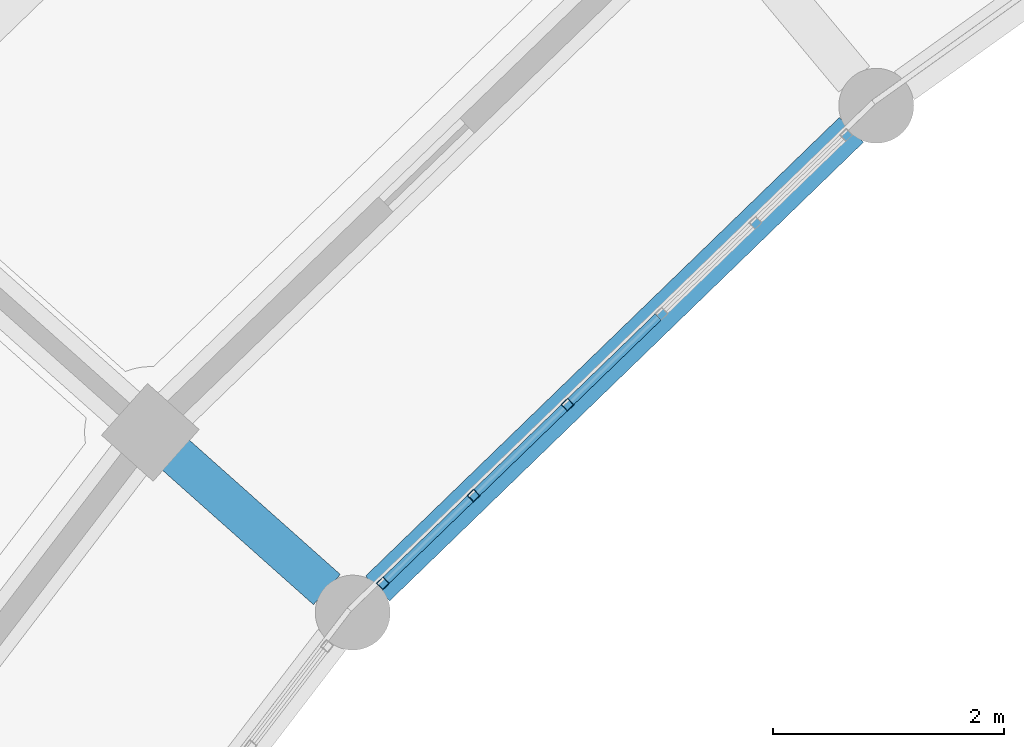
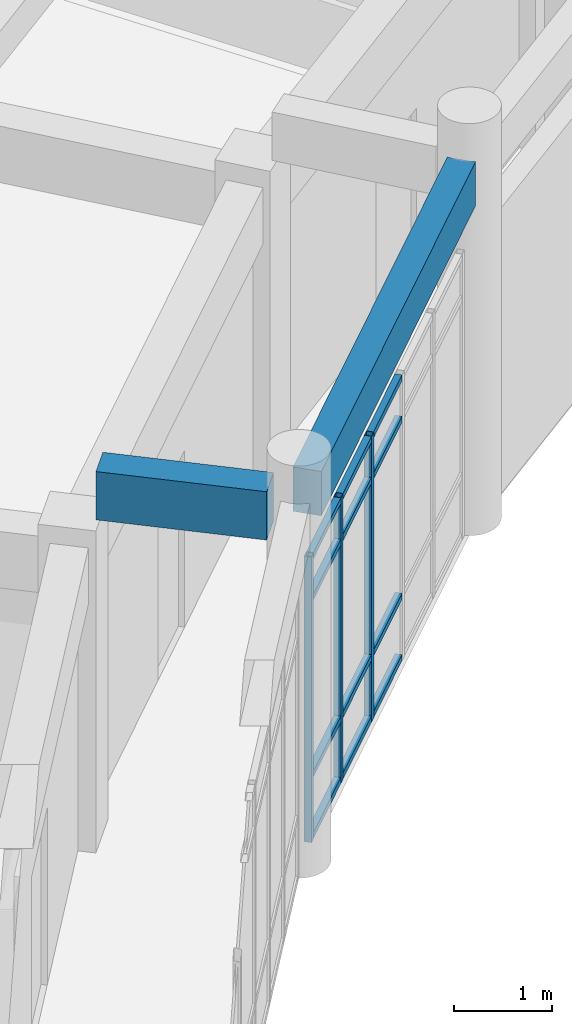
# One storey, part 65 of 159: 15 members, 2 beams, 1 element without a shape of its own.
"""IFC4 building model written with IfcOpenShell, lengths in metres."""

from ifc_helpers import new_model, si_unit, direction, frame, origin, origin_2d, place, context, subcontext, project, spatial, rectangle, hollow_rectangle, extrude, material, material_profile, profile_set, type_object, element, aggregate, save


model = new_model("IFC4")

# Units and contexts
model_context = context("Model", 3, precision=1e-05, world=origin(), true_north=direction((0.0, 1.0)))
body_context = subcontext(model_context, "Body", "Model", "MODEL_VIEW")
ifc_project = project(units=[si_unit("LENGTHUNIT", "METRE"), si_unit("AREAUNIT", "SQUARE_METRE"), si_unit("VOLUMEUNIT", "CUBIC_METRE"), si_unit("PLANEANGLEUNIT", "RADIAN"), si_unit("MASSUNIT", "GRAM", prefix="KILO")], contexts=[model_context])

# Site, building, storey
site_placement = place(None, origin())
site = spatial("IfcSite", under=ifc_project, at=site_placement, CompositionType="ELEMENT")
building_placement = place(site_placement, origin())
building = spatial("IfcBuilding", under=site, at=building_placement, Name="Celadon Cloister-Ring School", CompositionType="ELEMENT")
storey_placement = place(building_placement, frame((0.0, 0.0, 4.5)))
storey = spatial("IfcBuildingStorey", under=building, at=storey_placement, Name="L01", CompositionType="ELEMENT", Elevation=4.5)

# Beam
ifc_material_1 = material(Name="Concrete C35/45", Category="concrete")
ifc_material_profile_1 = material_profile(ifc_material_1, rectangle(XDim=0.35009765625, YDim=0.60009765625, at=origin_2d()), Name="RC350X600")
ifc_profile_set_1 = profile_set([ifc_material_profile_1], Name="Concrete C35/45")
beam_type_1 = type_object("IfcBeamType", Name="BT-02", PredefinedType="BEAM", material=ifc_profile_set_1)
beam_1_placement = place(storey_placement, frame((53.60009765625, 88.7451171875, 4.35009765625), z_axis=(0.746969032985, -0.664858829949, 0.0), x_axis=(0.664858829949, 0.746969032985, 0.0)))
element("IfcBeam", 1, at=beam_1_placement, inside=storey, type_object=beam_type_1, Name="Beam 0204", PredefinedType="BEAM", context=body_context, shape_type="SweptSolid", body=[
    extrude(rectangle(XDim=0.35009765625, YDim=0.60009765625, at=origin_2d()), origin(), (0.0, 0.0, 1.0), 1.775146484375),
])

# Curtain wall, members
ifc_material_2 = material(Name="Aluminium EN AW-6063 T6", Category="aluminium")
curtain_wall_type = type_object("IfcCurtainWallType", Name="CW-01", PredefinedType="USERDEFINED", material=ifc_material_2)
curtain_wall_placement = place(storey_placement, origin())
curtain_wall = element("IfcCurtainWall", 2, at=curtain_wall_placement, inside=storey, type_object=curtain_wall_type, Name="Curtain Wall 0021", ObjectType="CURTAIN WALL", PredefinedType="USERDEFINED")
ifc_material_3 = material(Name="Aluminium EN AW-6063 T6", Category="aluminium")
ifc_material_profile_2 = material_profile(ifc_material_3, hollow_rectangle(XDim=0.080078125, YDim=0.080078125, WallThickness=0.00390625, at=origin_2d()), Name="RHS80X80X4")
ifc_profile_set_2 = profile_set([ifc_material_profile_2], Name="Aluminium EN AW-6063 T6")
member_type_1 = type_object("IfcMemberType", Name="CM-03", PredefinedType="MULLION", material=ifc_profile_set_2)
member_1_placement = place(storey_placement, frame((57.0126953125, 89.168212890625, 0.0), z_axis=(0.0, 0.0, 1.0), x_axis=(0.695459621292, -0.718565178082, 0.0)))
member_1 = element("IfcMember", 3, at=member_1_placement, type_object=member_type_1, Name="CW-01 mullion 4", PredefinedType="MULLION", context=body_context, shape_type="SweptSolid", body=[
    extrude(hollow_rectangle(XDim=0.080078125, YDim=0.080078125, WallThickness=0.00390625, at=origin_2d()), origin(), (0.0, 0.0, 1.0), 3.550048828125),
])
member_2_placement = place(storey_placement, frame((56.19775390625, 88.379638671875, 0.0), z_axis=(0.0, 0.0, 1.0), x_axis=(0.695459621292, -0.718565178082, 0.0)))
member_2 = element("IfcMember", 4, at=member_2_placement, type_object=member_type_1, Name="CW-01 mullion 5", PredefinedType="MULLION", context=body_context, shape_type="SweptSolid", body=[
    extrude(hollow_rectangle(XDim=0.080078125, YDim=0.080078125, WallThickness=0.00390625, at=origin_2d()), origin(), (0.0, 0.0, 1.0), 3.550048828125),
])
member_3_placement = place(storey_placement, frame((55.41162109375, 87.618896484375, 0.0), z_axis=(0.0, 0.0, 1.0), x_axis=(0.695459621292, -0.718565178082, 0.0)))
member_3 = element("IfcMember", 5, at=member_3_placement, type_object=member_type_1, Name="CW-01 mullion 6", PredefinedType="MULLION", context=body_context, shape_type="SweptSolid", body=[
    extrude(hollow_rectangle(XDim=0.080078125, YDim=0.080078125, WallThickness=0.00390625, at=origin_2d()), origin(), (0.0, 0.0, 1.0), 3.550048828125),
])
ifc_material_4 = material(Name="Aluminium EN AW-6063 T6", Category="aluminium")
ifc_material_profile_3 = material_profile(ifc_material_4, hollow_rectangle(XDim=0.074951171875, YDim=0.074951171875, WallThickness=0.00390625, at=origin_2d()), Name="RHS75X75X4")
ifc_profile_set_3 = profile_set([ifc_material_profile_3], Name="Aluminium EN AW-6063 T6")
member_type_2 = type_object("IfcMemberType", Name="CTM-03", PredefinedType="USERDEFINED", material=ifc_profile_set_3)
member_4_placement = place(storey_placement, frame((57.798583984375, 89.928955078125, 0.03759765625), z_axis=(-0.71859467299, -0.695429145169, 0.0), x_axis=(0.695429145169, -0.71859467299, 0.0)))
member_4 = element("IfcMember", 6, at=member_4_placement, type_object=member_type_2, Name="CW-01 transom 3.1", ObjectType="TRANSOM", PredefinedType="USERDEFINED", context=body_context, shape_type="SweptSolid", body=[
    extrude(hollow_rectangle(XDim=0.074951171875, YDim=0.074951171875, WallThickness=0.00390625, at=origin_2d()), origin(), (0.0, 0.0, 1.0), 1.053955078125),
])
member_5_placement = place(storey_placement, frame((57.798583984375, 89.928955078125, 0.800048828125), z_axis=(-0.71859467299, -0.695429145169, 0.0), x_axis=(0.695429145169, -0.71859467299, 0.0)))
member_5 = element("IfcMember", 7, at=member_5_placement, type_object=member_type_2, Name="CW-01 transom 3.2", ObjectType="TRANSOM", PredefinedType="USERDEFINED", context=body_context, shape_type="SweptSolid", body=[
    extrude(hollow_rectangle(XDim=0.074951171875, YDim=0.074951171875, WallThickness=0.00390625, at=origin_2d()), origin(), (0.0, 0.0, 1.0), 1.053955078125),
])
member_6_placement = place(storey_placement, frame((57.798583984375, 89.928955078125, 3.0), z_axis=(-0.71859467299, -0.695429145169, 0.0), x_axis=(0.695429145169, -0.71859467299, 0.0)))
member_6 = element("IfcMember", 8, at=member_6_placement, type_object=member_type_2, Name="CW-01 transom 3.3", ObjectType="TRANSOM", PredefinedType="USERDEFINED", context=body_context, shape_type="SweptSolid", body=[
    extrude(hollow_rectangle(XDim=0.074951171875, YDim=0.074951171875, WallThickness=0.00390625, at=origin_2d()), origin(), (0.0, 0.0, 1.0), 1.053955078125),
])
member_7_placement = place(storey_placement, frame((57.798583984375, 89.928955078125, 3.512451171875), z_axis=(-0.71859467299, -0.695429145169, 0.0), x_axis=(0.695429145169, -0.71859467299, 0.0)))
member_7 = element("IfcMember", 9, at=member_7_placement, type_object=member_type_2, Name="CW-01 transom 3.4", ObjectType="TRANSOM", PredefinedType="USERDEFINED", context=body_context, shape_type="SweptSolid", body=[
    extrude(hollow_rectangle(XDim=0.074951171875, YDim=0.074951171875, WallThickness=0.00390625, at=origin_2d()), origin(), (0.0, 0.0, 1.0), 1.053955078125),
])
member_8_placement = place(storey_placement, frame((56.98388671875, 89.140380859375, 0.03759765625), z_axis=(-0.71859467299, -0.695429145169, 0.0), x_axis=(0.695429145169, -0.71859467299, 0.0)))
member_8 = element("IfcMember", 10, at=member_8_placement, type_object=member_type_2, Name="CW-01 transom 4.1", ObjectType="TRANSOM", PredefinedType="USERDEFINED", context=body_context, shape_type="SweptSolid", body=[
    extrude(hollow_rectangle(XDim=0.074951171875, YDim=0.074951171875, WallThickness=0.00390625, at=origin_2d()), origin(), (0.0, 0.0, 1.0), 1.053955078125),
])
member_9_placement = place(storey_placement, frame((56.98388671875, 89.140380859375, 0.800048828125), z_axis=(-0.71859467299, -0.695429145169, 0.0), x_axis=(0.695429145169, -0.71859467299, 0.0)))
member_9 = element("IfcMember", 11, at=member_9_placement, type_object=member_type_2, Name="CW-01 transom 4.2", ObjectType="TRANSOM", PredefinedType="USERDEFINED", context=body_context, shape_type="SweptSolid", body=[
    extrude(hollow_rectangle(XDim=0.074951171875, YDim=0.074951171875, WallThickness=0.00390625, at=origin_2d()), origin(), (0.0, 0.0, 1.0), 1.053955078125),
])
member_10_placement = place(storey_placement, frame((56.98388671875, 89.140380859375, 3.0), z_axis=(-0.71859467299, -0.695429145169, 0.0), x_axis=(0.695429145169, -0.71859467299, 0.0)))
member_10 = element("IfcMember", 12, at=member_10_placement, type_object=member_type_2, Name="CW-01 transom 4.3", ObjectType="TRANSOM", PredefinedType="USERDEFINED", context=body_context, shape_type="SweptSolid", body=[
    extrude(hollow_rectangle(XDim=0.074951171875, YDim=0.074951171875, WallThickness=0.00390625, at=origin_2d()), origin(), (0.0, 0.0, 1.0), 1.053955078125),
])
member_11_placement = place(storey_placement, frame((56.98388671875, 89.140380859375, 3.512451171875), z_axis=(-0.71859467299, -0.695429145169, 0.0), x_axis=(0.695429145169, -0.71859467299, 0.0)))
member_11 = element("IfcMember", 13, at=member_11_placement, type_object=member_type_2, Name="CW-01 transom 4.4", ObjectType="TRANSOM", PredefinedType="USERDEFINED", context=body_context, shape_type="SweptSolid", body=[
    extrude(hollow_rectangle(XDim=0.074951171875, YDim=0.074951171875, WallThickness=0.00390625, at=origin_2d()), origin(), (0.0, 0.0, 1.0), 1.053955078125),
])
member_12_placement = place(storey_placement, frame((56.1689453125, 88.351806640625, 0.03759765625), z_axis=(-0.718571085746, -0.695453517304, 0.0), x_axis=(0.695453517304, -0.718571085746, 0.0)))
member_12 = element("IfcMember", 14, at=member_12_placement, type_object=member_type_2, Name="CW-01 transom 5.1", ObjectType="TRANSOM", PredefinedType="USERDEFINED", context=body_context, shape_type="SweptSolid", body=[
    extrude(hollow_rectangle(XDim=0.074951171875, YDim=0.074951171875, WallThickness=0.00390625, at=origin_2d()), origin(), (0.0, 0.0, 1.0), 1.013916015625),
])
member_13_placement = place(storey_placement, frame((56.1689453125, 88.351806640625, 0.800048828125), z_axis=(-0.718571085746, -0.695453517304, 0.0), x_axis=(0.695453517304, -0.718571085746, 0.0)))
member_13 = element("IfcMember", 15, at=member_13_placement, type_object=member_type_2, Name="CW-01 transom 5.2", ObjectType="TRANSOM", PredefinedType="USERDEFINED", context=body_context, shape_type="SweptSolid", body=[
    extrude(hollow_rectangle(XDim=0.074951171875, YDim=0.074951171875, WallThickness=0.00390625, at=origin_2d()), origin(), (0.0, 0.0, 1.0), 1.013916015625),
])
member_14_placement = place(storey_placement, frame((56.1689453125, 88.351806640625, 3.0), z_axis=(-0.718571085746, -0.695453517304, 0.0), x_axis=(0.695453517304, -0.718571085746, 0.0)))
member_14 = element("IfcMember", 16, at=member_14_placement, type_object=member_type_2, Name="CW-01 transom 5.3", ObjectType="TRANSOM", PredefinedType="USERDEFINED", context=body_context, shape_type="SweptSolid", body=[
    extrude(hollow_rectangle(XDim=0.074951171875, YDim=0.074951171875, WallThickness=0.00390625, at=origin_2d()), origin(), (0.0, 0.0, 1.0), 1.013916015625),
])
member_15_placement = place(storey_placement, frame((56.1689453125, 88.351806640625, 3.512451171875), z_axis=(-0.718571085746, -0.695453517304, 0.0), x_axis=(0.695453517304, -0.718571085746, 0.0)))
member_15 = element("IfcMember", 17, at=member_15_placement, type_object=member_type_2, Name="CW-01 transom 5.4", ObjectType="TRANSOM", PredefinedType="USERDEFINED", context=body_context, shape_type="SweptSolid", body=[
    extrude(hollow_rectangle(XDim=0.074951171875, YDim=0.074951171875, WallThickness=0.00390625, at=origin_2d()), origin(), (0.0, 0.0, 1.0), 1.013916015625),
])
aggregate(curtain_wall, [member_1, member_2, member_3, member_4, member_5, member_6, member_7, member_8, member_9, member_10, member_11, member_12, member_13, member_14, member_15])

# Beam
ifc_material_5 = material(Name="Concrete C35/45", Category="concrete")
ifc_material_profile_4 = material_profile(ifc_material_5, rectangle(XDim=0.300048828125, YDim=0.550048828125, at=origin_2d()), Name="RC300X550")
ifc_profile_set_4 = profile_set([ifc_material_profile_4], Name="Concrete C35/45")
beam_type_2 = type_object("IfcBeamType", Name="SP-02", PredefinedType="SPANDREL", material=ifc_profile_set_4)
beam_2_placement = place(storey_placement, frame((59.47412109375, 91.551025390625, 4.375), z_axis=(-0.718478235211, -0.695549441469, 0.0), x_axis=(0.695549441469, -0.718478235211, 0.0)))
element("IfcBeam", 18, at=beam_2_placement, inside=storey, type_object=beam_type_2, Name="Beam 0273", PredefinedType="SPANDREL", context=body_context, shape_type="SweptSolid", body=[
    extrude(rectangle(XDim=0.300048828125, YDim=0.550048828125, at=origin_2d()), origin(), (0.0, 0.0, 1.0), 5.7177734375),
])

save(model, "model.ifc")
